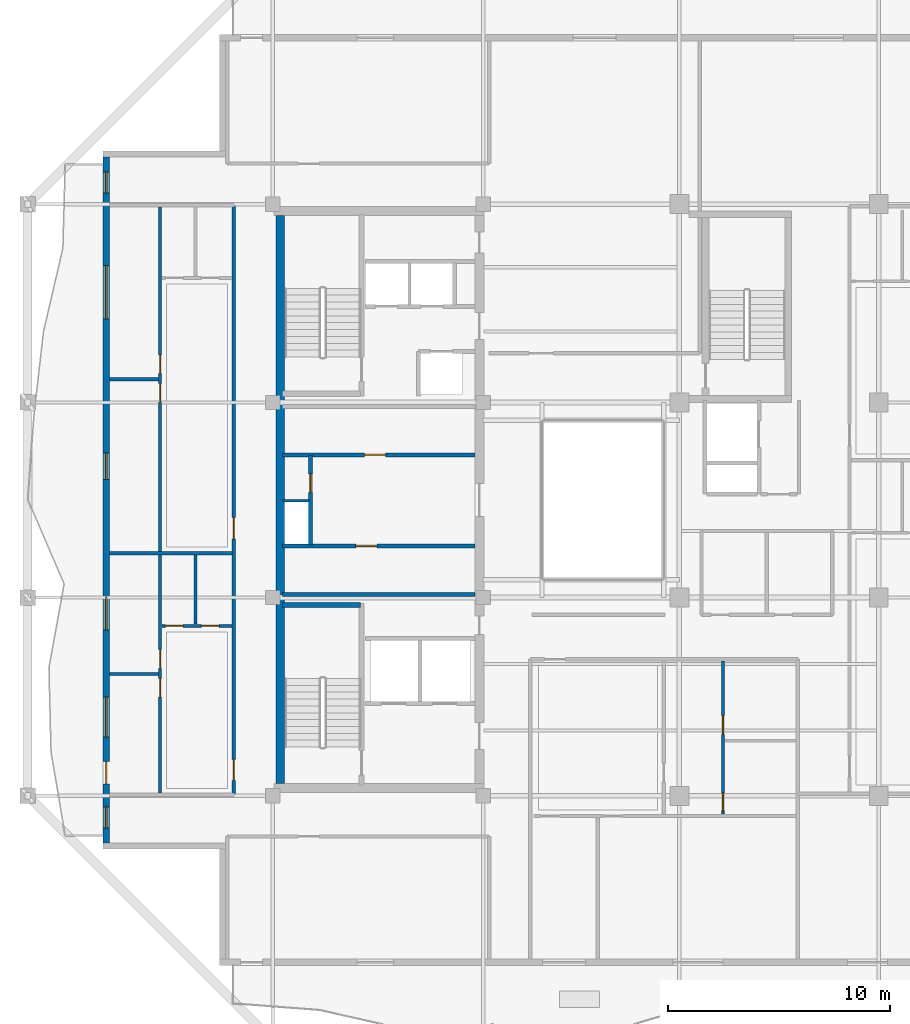
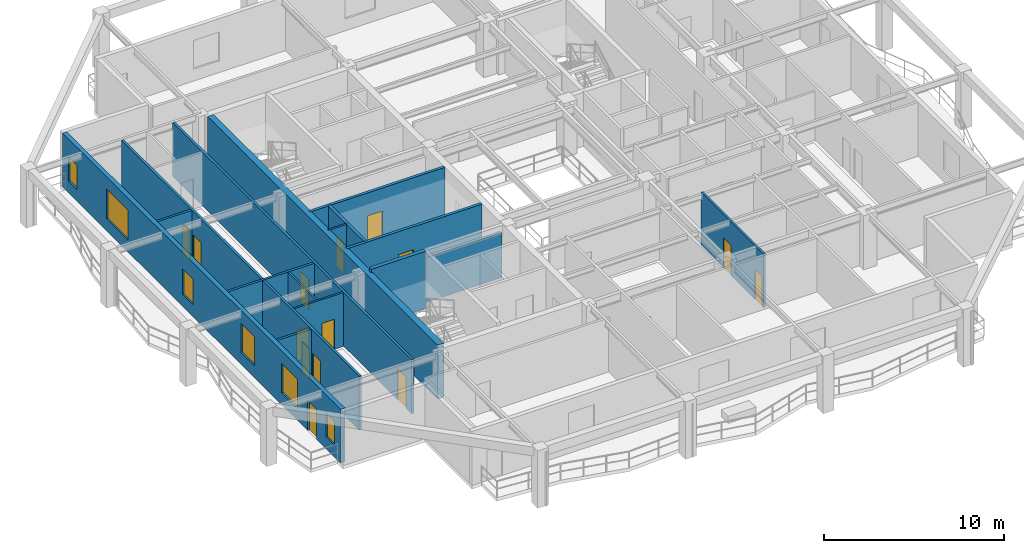
# One storey, part 3 of 12: 17 walls, 14 doors, 6 windows, 20 openings.
"""IFC4 building model written with IfcOpenShell, lengths in metres."""

import ifcopenshell
import ifcopenshell.guid

model = None  # the IFC model being written
_history = None  # IfcOwnerHistory: only IFC2X3 demands one
_inside = {}  # id of a spatial element -> (the spatial element, [elements in it])
_under = {}  # id of a project, library or spatial element -> (it, [spatial elements below it])
_declared = {}  # id of a project -> (the project, [libraries it declares])
_typed = {}  # id of a type object -> (the type object, [elements of that type])
_made_of = {}  # id of a material, layer set ... -> (it, [elements and type objects made of it])


def new_model(schema):
    """Start an empty IFC model of exactly this schema.

    Asked for "IFC4X3", IfcOpenShell would pick the latest addendum, in which some entities
    have other attributes; the version numbers below select the first issue.
    IFC2X3 requires an IfcOwnerHistory on every rooted entity: one is made here for all.
    """
    global model, _history
    if schema == "IFC4X3":
        model = ifcopenshell.file(schema_version=(4, 3, 0, 0))
    else:
        model = ifcopenshell.file(schema=schema)
    _inside.clear()
    _under.clear()
    _declared.clear()
    _typed.clear()
    _made_of.clear()
    _history = None
    if model.schema == "IFC2X3":
        org = make("IfcOrganization", Name="unknown")
        user = make(
            "IfcPersonAndOrganization",
            ThePerson=make("IfcPerson", FamilyName="unknown"),
            TheOrganization=org,
        )
        app = make(
            "IfcApplication",
            ApplicationDeveloper=org,
            Version="unknown",
            ApplicationFullName="unknown",
            ApplicationIdentifier="unknown",
        )
        _history = make(
            "IfcOwnerHistory",
            OwningUser=user,
            OwningApplication=app,
            ChangeAction="ADDED",
            CreationDate=0,
        )
    return model


def make(cls, **values):
    """One entity of the class cls with the attributes given. An attribute that is None is left unset."""
    return model.create_entity(
        cls, **{name: value for name, value in values.items() if value is not None}
    )


def rooted(cls, **values):
    """An entity with a GlobalId (a new one), such as an element, a storey or a relation."""
    return make(cls, GlobalId=ifcopenshell.guid.new(), OwnerHistory=_history, **values)


def si_unit(unit_type, name, prefix=None):
    """IfcSIUnit, for example si_unit("LENGTHUNIT", "METRE", prefix="MILLI")."""
    return make("IfcSIUnit", UnitType=unit_type, Prefix=prefix, Name=name)


def assignment(units):
    """IfcUnitAssignment: the units of a project."""
    return None if units is None else make("IfcUnitAssignment", Units=units)


def point(xyz):
    """IfcCartesianPoint."""
    return None if xyz is None else make("IfcCartesianPoint", Coordinates=xyz)


def direction(xyz):
    """IfcDirection."""
    return None if xyz is None else make("IfcDirection", DirectionRatios=xyz)


def frame(location, z_axis=None, x_axis=None):
    """IfcAxis2Placement3D, a coordinate frame: its origin and axes. An axis left out is left unset."""
    return make(
        "IfcAxis2Placement3D",
        Location=point(location),
        Axis=direction(z_axis),
        RefDirection=direction(x_axis),
    )


def frame_2d(location, x_axis=None):
    """IfcAxis2Placement2D, a coordinate frame in the plane: its origin and x axis."""
    return make(
        "IfcAxis2Placement2D", Location=point(location), RefDirection=direction(x_axis)
    )


def origin():
    """The frame at (0, 0, 0) with its axes left unset."""
    return frame((0.0, 0.0, 0.0))


def place(relative_to, where):
    """IfcLocalPlacement: puts the frame where relative to a parent placement (None: the world)."""
    return make(
        "IfcLocalPlacement", PlacementRelTo=relative_to, RelativePlacement=where
    )


def context(
    kind, dimensions, precision=None, world=None, true_north=None, identifier=None
):
    """IfcGeometricRepresentationContext, for example the 3D "Model" context."""
    return make(
        "IfcGeometricRepresentationContext",
        ContextIdentifier=identifier,
        ContextType=kind,
        CoordinateSpaceDimension=dimensions,
        Precision=precision,
        WorldCoordinateSystem=world,
        TrueNorth=true_north,
    )


def subcontext(parent, identifier, kind, view, scale=None):
    """IfcGeometricRepresentationSubContext, for example "Body" below "Model"."""
    return make(
        "IfcGeometricRepresentationSubContext",
        ContextIdentifier=identifier,
        ContextType=kind,
        ParentContext=parent,
        TargetScale=scale,
        TargetView=view,
    )


def project(units=None, contexts=None):
    """IfcProject with its units and contexts."""
    return rooted(
        "IfcProject",
        Name="project",
        RepresentationContexts=contexts,
        UnitsInContext=assignment(units),
    )


def spatial(cls, under=None, at=None, **own):
    """A site, building, storey or space (cls), placed at a placement, below another one or the project."""
    s = rooted(cls, ObjectPlacement=at, **own)
    if under is not None:
        _under.setdefault(under.id(), (under, []))[1].append(s)
    return s


def profile(cls, at=None, kind="AREA", **sizes):
    """A parametric profile (cls). Its sizes go by their IFC names, for example OverallWidth=200.0."""
    return make(cls, ProfileType=kind, Position=at, **sizes)


def rectangle(**sizes):
    """IfcRectangleProfileDef."""
    return profile("IfcRectangleProfileDef", **sizes)


def extrude(swept, where, along, depth):
    """IfcExtrudedAreaSolid: the profile swept, set in the frame where, extruded along a direction by depth."""
    return make(
        "IfcExtrudedAreaSolid",
        SweptArea=swept,
        Position=where,
        ExtrudedDirection=direction(along),
        Depth=depth,
    )


def shape(context_of_items, identifier, shape_type, items):
    """IfcShapeRepresentation: the items that make up one representation, for example the "Body"."""
    return make(
        "IfcShapeRepresentation",
        ContextOfItems=context_of_items,
        RepresentationIdentifier=identifier,
        RepresentationType=shape_type,
        Items=items,
    )


def material(Name=None, Category=None):
    """IfcMaterial."""
    return make("IfcMaterial", Name=Name, Category=Category)


def layer(
    of_material, thickness, ventilated=None, Name=None, Category=None, Priority=None
):
    """IfcMaterialLayer: one layer of a wall or slab, of a material (None: an air gap)."""
    return make(
        "IfcMaterialLayer",
        Material=of_material,
        LayerThickness=thickness,
        IsVentilated=ventilated,
        Name=Name,
        Category=Category,
        Priority=Priority,
    )


def layer_set(layers, Name=None):
    """IfcMaterialLayerSet."""
    return make("IfcMaterialLayerSet", MaterialLayers=layers, LayerSetName=Name)


def made_of(thing, what):
    """Note that an element or type object is made of a material, layer set ...; save() writes the relation."""
    if what is not None:
        _made_of.setdefault(what.id(), (what, []))[1].append(thing)
    return thing


def type_object(cls, material=None, **own):
    """A type object (cls), such as IfcWallType, which elements share."""
    return made_of(rooted(cls, **own), material)


def element(
    cls,
    number,
    at=None,
    inside=None,
    cuts=None,
    type_object=None,
    material=None,
    context=None,
    identifier="Body",
    shape_type=None,
    held_by="IfcProductDefinitionShape",
    body=None,
    shapes=None,
    **own,
):
    """One element of the class cls, such as IfcWall. Its Tag is "e" and its number.

    at: its placement. inside: the storey or other place that contains it. cuts: it is an
    opening in that element (IfcRelVoidsElement). A single representation is given by context,
    identifier, shape_type and body (its items); several are given by shapes. held_by: the class
    of the entity that holds the representations. save() writes the other relations.
    """
    e = rooted(cls, Tag="e%d" % number, ObjectPlacement=at, **own)
    if body is not None:
        shapes = [shape(context, identifier, shape_type, body)]
    if shapes is not None:
        e.Representation = make(held_by, Representations=shapes)
    if inside is not None:
        _inside.setdefault(inside.id(), (inside, []))[1].append(e)
    if cuts is not None:
        rooted(
            "IfcRelVoidsElement", RelatingBuildingElement=cuts, RelatedOpeningElement=e
        )
    if type_object is not None:
        _typed.setdefault(type_object.id(), (type_object, []))[1].append(e)
    return made_of(e, material)


def fill(opening, filler):
    """IfcRelFillsElement: the door or window that sits in an opening."""
    return rooted(
        "IfcRelFillsElement",
        RelatingOpeningElement=opening,
        RelatedBuildingElement=filler,
    )


def aggregate(whole, parts):
    """IfcRelAggregates: a whole, such as a stair, and the parts it consists of."""
    return rooted("IfcRelAggregates", RelatingObject=whole, RelatedObjects=parts)


def save(model, path):
    """Write the relations noted so far, then the file.

    IfcRelAggregates (storeys below a building ...), IfcRelContainedInSpatialStructure (elements
    in a storey), IfcRelDefinesByType, IfcRelAssociatesMaterial and IfcRelDeclares: one each for
    every whole, place, type object, material and project.
    """
    for whole, parts in _under.values():
        aggregate(whole, parts)
    for where, things in _inside.values():
        rooted(
            "IfcRelContainedInSpatialStructure",
            RelatedElements=things,
            RelatingStructure=where,
        )
    for kind, things in _typed.values():
        rooted("IfcRelDefinesByType", RelatedObjects=things, RelatingType=kind)
    for what, things in _made_of.values():
        rooted("IfcRelAssociatesMaterial", RelatedObjects=things, RelatingMaterial=what)
    for by, libraries in _declared.values():
        rooted("IfcRelDeclares", RelatingContext=by, RelatedDefinitions=libraries)
    model.write(path)


model = new_model("IFC4")

# Units and contexts
model_context = context("Model", 3, precision=1e-05, world=origin(), true_north=direction((0.0, 1.0)))
body_context = subcontext(model_context, "Body", "Model", "MODEL_VIEW")
ifc_project = project(units=[si_unit("LENGTHUNIT", "METRE"), si_unit("AREAUNIT", "SQUARE_METRE"), si_unit("VOLUMEUNIT", "CUBIC_METRE"), si_unit("PLANEANGLEUNIT", "RADIAN"), si_unit("MASSUNIT", "GRAM", prefix="KILO")], contexts=[model_context])

# Site, building, storey
site_placement = place(None, origin())
site = spatial("IfcSite", under=ifc_project, at=site_placement, CompositionType="ELEMENT")
building_placement = place(site_placement, origin())
building = spatial("IfcBuilding", under=site, at=building_placement, Name="Kundavana Baori Tower", CompositionType="ELEMENT")
storey_placement = place(building_placement, frame((0.0, 0.0, 245.300048828125)))
storey = spatial("IfcBuildingStorey", under=building, at=storey_placement, Name="L60", CompositionType="ELEMENT", Elevation=245.300048828125)

# Walls
ifc_material_1 = material(Name="Concrete C50/60", Category="concrete")
ifc_layer_1 = layer(ifc_material_1, 0.39990234375, Name="WL-CORE-400")
ifc_layer_set_1 = layer_set([ifc_layer_1], Name="Concrete C50/60")
wall_type_1 = type_object("IfcWallType", Name="WL-CORE-400", PredefinedType="SHEAR", material=ifc_layer_set_1)
wall_1_placement = place(storey_placement, frame((15.7900390625, 15.81005859375, 0.0), z_axis=(0.0, 0.0, 1.0), x_axis=(0.0, 1.0, 0.0)))
element("IfcWall", 1, at=wall_1_placement, inside=storey, type_object=wall_type_1, Name="L60 Offset Core West Shear Wall", PredefinedType="SHEAR", context=body_context, shape_type="SweptSolid", body=[
    extrude(rectangle(XDim=25.6298828125, YDim=0.39990234375, at=frame_2d((12.81494140625, 0.0))), origin(), (0.0, 0.0, 1.0), 3.659912109375),
])
wall_2_placement = place(storey_placement, frame((15.89990234375, 23.860107421875, 0.0), z_axis=(0.0, 0.0, 1.0), x_axis=(1.0, 0.0, 0.0)))
element("IfcWall", 2, at=wall_2_placement, inside=storey, type_object=wall_type_1, Name="WL-L60-ST1-N", PredefinedType="SHEAR", context=body_context, shape_type="SweptSolid", body=[
    extrude(rectangle(XDim=3.52001953125, YDim=0.239990234375, at=frame_2d((1.760009765625, 0.0))), origin(), (0.0, 0.0, 1.0), 3.89990234375),
])

# Wall, openings, door, windows
ifc_material_2 = material(Name="Red-Buff Dholpur Sandstone Cladding on Concrete C40/50", Category="masonry")
ifc_layer_2 = layer(ifc_material_2, 0.280029296875, Name="WL-EXT-SAND-280")
ifc_layer_set_2 = layer_set([ifc_layer_2], Name="Red-Buff Dholpur Sandstone Cladding on Concrete C40/50")
wall_type_2 = type_object("IfcWallType", Name="WL-EXT-SAND-280", PredefinedType="STANDARD", material=ifc_layer_set_2)
wall_3_placement = place(storey_placement, frame((7.93994140625, 44.070068359375, 0.0), z_axis=(0.0, 0.0, 1.0), x_axis=(0.0, -1.0, 0.0)))
wall_3 = element("IfcWall", 3, at=wall_3_placement, inside=storey, type_object=wall_type_2, Name="L60 Exterior Insulated Facade Wall 10", PredefinedType="STANDARD", context=body_context, shape_type="SweptSolid", body=[
    extrude(rectangle(XDim=30.940185546875, YDim=0.280029296875, at=frame_2d((15.47021484375, 0.0))), origin(), (0.0, 0.0, 1.0), 3.659912109375),
])
opening_1_placement = place(wall_3_placement, frame((29.324951171875, 0.0, 0.800048828125)))
opening_1 = element("IfcOpeningElement", 4, at=opening_1_placement, cuts=wall_3, Name="Opening W-13", PredefinedType="OPENING", context=body_context, shape_type="SweptSolid", body=[
    extrude(rectangle(XDim=0.949951171875, YDim=1.64990234375, at=frame_2d((0.47509765625, 0.824951171875))), frame((0.0, 0.14990234375, 0.0), z_axis=(0.0, -1.0, 0.0), x_axis=(1.0, 0.0, 0.0)), (0.0, 0.0, 1.0), 0.300048828125),
])
opening_2_placement = place(wall_3_placement, frame((27.280029296875, 0.0, 0.0)))
opening_2 = element("IfcOpeningElement", 5, at=opening_2_placement, cuts=wall_3, Name="Opening BD-1", PredefinedType="OPENING", context=body_context, shape_type="SweptSolid", body=[
    extrude(rectangle(XDim=1.0, YDim=2.050048828125, at=frame_2d((0.5, 1.02490234375))), frame((0.0, 0.14990234375, 0.0), z_axis=(0.0, -1.0, 0.0), x_axis=(1.0, 0.0, 0.0)), (0.0, 0.0, 1.0), 0.300048828125),
])
opening_3_placement = place(wall_3_placement, frame((24.3701171875, 0.0, 0.800048828125)))
opening_3 = element("IfcOpeningElement", 6, at=opening_3_placement, cuts=wall_3, Name="Opening W-01", PredefinedType="OPENING", context=body_context, shape_type="SweptSolid", body=[
    extrude(rectangle(XDim=1.800048828125, YDim=2.0, at=frame_2d((0.89990234375, 1.0))), frame((0.0, 0.14990234375, 0.0), z_axis=(0.0, -1.0, 0.0), x_axis=(1.0, 0.0, 0.0)), (0.0, 0.0, 1.0), 0.300048828125),
])
opening_4_placement = place(wall_3_placement, frame((19.844970703125, 0.0, 0.800048828125)))
opening_4 = element("IfcOpeningElement", 7, at=opening_4_placement, cuts=wall_3, Name="Opening W-02", PredefinedType="OPENING", context=body_context, shape_type="SweptSolid", body=[
    extrude(rectangle(XDim=1.5, YDim=2.0, at=frame_2d((0.75, 1.0))), frame((0.0, 0.14990234375, 0.0), z_axis=(0.0, -1.0, 0.0), x_axis=(1.0, 0.0, 0.0)), (0.0, 0.0, 1.0), 0.300048828125),
])
opening_5_placement = place(wall_3_placement, frame((13.344970703125, 0.0, 0.800048828125)))
opening_5 = element("IfcOpeningElement", 8, at=opening_5_placement, cuts=wall_3, Name="Opening W-03", PredefinedType="OPENING", context=body_context, shape_type="SweptSolid", body=[
    extrude(rectangle(XDim=1.199951171875, YDim=1.75, at=frame_2d((0.60009765625, 0.875))), frame((0.0, 0.14990234375, 0.0), z_axis=(0.0, -1.0, 0.0), x_axis=(1.0, 0.0, 0.0)), (0.0, 0.0, 1.0), 0.300048828125),
])
opening_6_placement = place(wall_3_placement, frame((4.89501953125, 0.0, 0.800048828125)))
opening_6 = element("IfcOpeningElement", 9, at=opening_6_placement, cuts=wall_3, Name="Opening W-04", PredefinedType="OPENING", context=body_context, shape_type="SweptSolid", body=[
    extrude(rectangle(XDim=2.39990234375, YDim=2.050048828125, at=frame_2d((1.199951171875, 1.02490234375))), frame((0.0, 0.14990234375, 0.0), z_axis=(0.0, -1.0, 0.0), x_axis=(1.0, 0.0, 0.0)), (0.0, 0.0, 1.0), 0.300048828125),
])
opening_7_placement = place(wall_3_placement, frame((0.6650390625, 0.0, 0.800048828125)))
opening_7 = element("IfcOpeningElement", 10, at=opening_7_placement, cuts=wall_3, Name="Opening W-13", PredefinedType="OPENING", context=body_context, shape_type="SweptSolid", body=[
    extrude(rectangle(XDim=0.949951171875, YDim=1.64990234375, at=frame_2d((0.47509765625, 0.824951171875))), frame((0.0, 0.14990234375, 0.0), z_axis=(0.0, -1.0, 0.0), x_axis=(1.0, 0.0, 0.0)), (0.0, 0.0, 1.0), 0.300048828125),
])
ifc_material_3 = material(Name="Architectural Patinated Bronze Metalwork")
door_type_1 = type_object("IfcDoorType", Name="DR-EXT-LOG-1000", OperationType="NOTDEFINED", PredefinedType="DOOR", material=ifc_material_3)
door_1_placement = place(opening_2_placement, frame((1.0, 0.0, 0.0), z_axis=(0.0, 0.0, 1.0), x_axis=(-1.0, 0.0, 0.0)))
door_1 = element("IfcDoor", 11, at=door_1_placement, inside=storey, type_object=door_type_1, Name="L60 Loggia Balcony Access Door W", OperationType="SINGLE_SWING_LEFT", OverallHeight=2.050048828125, OverallWidth=1.0, PredefinedType="DOOR", context=body_context, shape_type="SweptSolid", body=[
    extrude(rectangle(XDim=1.0, YDim=2.050048828125, at=frame_2d((0.5, 1.02490234375))), frame((0.0, 0.02490234375, 0.0), z_axis=(0.0, -1.0, 0.0), x_axis=(1.0, 0.0, 0.0)), (0.0, 0.0, 1.0), 0.050048828125),
])
fill(opening_2, door_1)
ifc_material_4 = material(Name="Double-Glazed Solar-Control Low-E Insulated Glass", Category="glass")
window_type_1 = type_object("IfcWindowType", Name="WIN-LOG-1200x1750", PartitioningType="SINGLE_PANEL", PredefinedType="WINDOW", material=ifc_material_4)
window_1_placement = place(opening_5_placement, origin())
window_1 = element("IfcWindow", 12, at=window_1_placement, inside=storey, type_object=window_type_1, Name="L60 Recessed Loggia Window W-4", OverallHeight=1.75, OverallWidth=1.199951171875, PartitioningType="SINGLE_PANEL", PredefinedType="WINDOW", context=body_context, shape_type="SweptSolid", body=[
    extrude(rectangle(XDim=1.199951171875, YDim=1.75, at=frame_2d((0.60009765625, 0.875))), frame((0.0, 0.030029296875, 0.0), z_axis=(0.0, -1.0, 0.0), x_axis=(1.0, 0.0, 0.0)), (0.0, 0.0, 1.0), 0.06005859375),
])
fill(opening_5, window_1)
ifc_material_5 = material(Name="Double-Glazed Solar-Control Low-E Insulated Glass", Category="glass")
window_type_2 = type_object("IfcWindowType", Name="WIN-LOG-1500x2000", PartitioningType="SINGLE_PANEL", PredefinedType="WINDOW", material=ifc_material_5)
window_2_placement = place(opening_4_placement, origin())
window_2 = element("IfcWindow", 13, at=window_2_placement, inside=storey, type_object=window_type_2, Name="L60 Recessed Loggia Window W-3", OverallHeight=2.0, OverallWidth=1.5, PartitioningType="SINGLE_PANEL", PredefinedType="WINDOW", context=body_context, shape_type="SweptSolid", body=[
    extrude(rectangle(XDim=1.5, YDim=2.0, at=frame_2d((0.75, 1.0))), frame((0.0, 0.030029296875, 0.0), z_axis=(0.0, -1.0, 0.0), x_axis=(1.0, 0.0, 0.0)), (0.0, 0.0, 1.0), 0.06005859375),
])
fill(opening_4, window_2)
ifc_material_6 = material(Name="Double-Glazed Solar-Control Low-E Insulated Glass", Category="glass")
window_type_3 = type_object("IfcWindowType", Name="WIN-LOG-1800x2000", PartitioningType="SINGLE_PANEL", PredefinedType="WINDOW", material=ifc_material_6)
window_3_placement = place(opening_3_placement, origin())
window_3 = element("IfcWindow", 14, at=window_3_placement, inside=storey, type_object=window_type_3, Name="L60 Recessed Loggia Window W-2", OverallHeight=2.0, OverallWidth=1.800048828125, PartitioningType="SINGLE_PANEL", PredefinedType="WINDOW", context=body_context, shape_type="SweptSolid", body=[
    extrude(rectangle(XDim=1.800048828125, YDim=2.0, at=frame_2d((0.89990234375, 1.0))), frame((0.0, 0.030029296875, 0.0), z_axis=(0.0, -1.0, 0.0), x_axis=(1.0, 0.0, 0.0)), (0.0, 0.0, 1.0), 0.06005859375),
])
fill(opening_3, window_3)
ifc_material_7 = material(Name="Double-Glazed Solar-Control Low-E Insulated Glass", Category="glass")
window_type_4 = type_object("IfcWindowType", Name="WIN-LOG-2400x2050", PartitioningType="SINGLE_PANEL", PredefinedType="WINDOW", material=ifc_material_7)
window_4_placement = place(opening_6_placement, origin())
window_4 = element("IfcWindow", 15, at=window_4_placement, inside=storey, type_object=window_type_4, Name="L60 Recessed Loggia Window W-5", OverallHeight=2.050048828125, OverallWidth=2.39990234375, PartitioningType="SINGLE_PANEL", PredefinedType="WINDOW", context=body_context, shape_type="SweptSolid", body=[
    extrude(rectangle(XDim=2.39990234375, YDim=2.050048828125, at=frame_2d((1.199951171875, 1.02490234375))), frame((0.0, 0.030029296875, 0.0), z_axis=(0.0, -1.0, 0.0), x_axis=(1.0, 0.0, 0.0)), (0.0, 0.0, 1.0), 0.06005859375),
])
fill(opening_6, window_4)
ifc_material_8 = material(Name="Double-Glazed Solar-Control Low-E Insulated Glass", Category="glass")
window_type_5 = type_object("IfcWindowType", Name="WIN-LOG-950x1650", PartitioningType="SINGLE_PANEL", PredefinedType="WINDOW", material=ifc_material_8)
window_5_placement = place(opening_1_placement, origin())
window_5 = element("IfcWindow", 16, at=window_5_placement, inside=storey, type_object=window_type_5, Name="L60 Recessed Loggia Window W-1", OverallHeight=1.64990234375, OverallWidth=0.949951171875, PartitioningType="SINGLE_PANEL", PredefinedType="WINDOW", context=body_context, shape_type="SweptSolid", body=[
    extrude(rectangle(XDim=0.949951171875, YDim=1.64990234375, at=frame_2d((0.47509765625, 0.824951171875))), frame((0.0, 0.030029296875, 0.0), z_axis=(0.0, -1.0, 0.0), x_axis=(1.0, 0.0, 0.0)), (0.0, 0.0, 1.0), 0.06005859375),
])
fill(opening_1, window_5)
window_6_placement = place(opening_7_placement, origin())
window_6 = element("IfcWindow", 17, at=window_6_placement, inside=storey, type_object=window_type_5, Name="L60 Recessed Loggia Window W-6", OverallHeight=1.64990234375, OverallWidth=0.949951171875, PartitioningType="SINGLE_PANEL", PredefinedType="WINDOW", context=body_context, shape_type="SweptSolid", body=[
    extrude(rectangle(XDim=0.949951171875, YDim=1.64990234375, at=frame_2d((0.47509765625, 0.824951171875))), frame((0.0, 0.030029296875, 0.0), z_axis=(0.0, -1.0, 0.0), x_axis=(1.0, 0.0, 0.0)), (0.0, 0.0, 1.0), 0.06005859375),
])
fill(opening_7, window_6)

# Wall
ifc_material_9 = material(Name="Acoustic Gypsum Plasterboard on Galvanised Steel Studs", Category="steel")
ifc_layer_3 = layer(ifc_material_9, 0.1201171875, Name="WL-PART-120")
ifc_layer_set_3 = layer_set([ifc_layer_3], Name="Acoustic Gypsum Plasterboard on Galvanised Steel Studs")
wall_type_3 = type_object("IfcWallType", Name="WL-PART-120", PredefinedType="PARTITIONING", material=ifc_layer_set_3)
wall_4_placement = place(storey_placement, frame((15.89990234375, 28.56005859375, 0.0), z_axis=(0.0, 0.0, 1.0), x_axis=(1.0, 0.0, 0.0)))
element("IfcWall", 18, at=wall_4_placement, inside=storey, type_object=wall_type_3, Name="WL-L60-RSRW-N", PredefinedType="PARTITIONING", context=body_context, shape_type="SweptSolid", body=[
    extrude(rectangle(XDim=1.2001953125, YDim=0.1201171875, at=frame_2d((0.60009765625, 0.0))), origin(), (0.0, 0.0, 1.0), 3.659912109375),
])

# Wall, openings, doors
ifc_material_10 = material(Name="Fire-Rated Gypsum Drywall on Galvanised Steel Studs", Category="steel")
ifc_layer_4 = layer(ifc_material_10, 0.14990234375, Name="WL-PART-150")
ifc_layer_set_4 = layer_set([ifc_layer_4], Name="Fire-Rated Gypsum Drywall on Galvanised Steel Studs")
wall_type_4 = type_object("IfcWallType", Name="WL-PART-150", PredefinedType="PARTITIONING", material=ifc_layer_set_4)
wall_5_placement = place(storey_placement, frame((13.699951171875, 15.300048828125, 0.0), z_axis=(0.0, 0.0, 1.0), x_axis=(0.0, 1.0, 0.0)))
wall_5 = element("IfcWall", 19, at=wall_5_placement, inside=storey, type_object=wall_type_4, Name="WL-L60-RW", PredefinedType="PARTITIONING", context=body_context, shape_type="SweptSolid", body=[
    extrude(rectangle(XDim=26.599853515625, YDim=0.14990234375, at=frame_2d((13.2998046875, 0.0))), origin(), (0.0, 0.0, 1.0), 3.659912109375),
])
opening_8_placement = place(wall_5_placement, frame((0.64990234375, 0.0, 0.0)))
opening_8 = element("IfcOpeningElement", 20, at=opening_8_placement, cuts=wall_5, Name="Opening FD-095", PredefinedType="OPENING", context=body_context, shape_type="SweptSolid", body=[
    extrude(rectangle(XDim=0.949951171875, YDim=2.10009765625, at=frame_2d((0.47509765625, 1.050048828125))), frame((0.0, 0.0849609375, 0.0), z_axis=(0.0, -1.0, 0.0), x_axis=(1.0, 0.0, 0.0)), (0.0, 0.0, 1.0), 0.169921875),
])
opening_9_placement = place(wall_5_placement, frame((11.550048828125, 0.0, 0.0)))
opening_9 = element("IfcOpeningElement", 21, at=opening_9_placement, cuts=wall_5, Name="Opening FD-095", PredefinedType="OPENING", context=body_context, shape_type="SweptSolid", body=[
    extrude(rectangle(XDim=0.949951171875, YDim=2.10009765625, at=frame_2d((0.47509765625, 1.050048828125))), frame((0.0, 0.0849609375, 0.0), z_axis=(0.0, -1.0, 0.0), x_axis=(1.0, 0.0, 0.0)), (0.0, 0.0, 1.0), 0.169921875),
])
ifc_material_11 = material(Name="Engineered Teak Fire-Rated Timber Door Leaf", Category="wood")
door_type_2 = type_object("IfcDoorType", Name="DR-FD60-950", OperationType="NOTDEFINED", PredefinedType="DOOR", material=ifc_material_11)
door_2_placement = place(opening_8_placement, frame((0.949951171875, 0.0, 0.0), z_axis=(0.0, 0.0, 1.0), x_axis=(-1.0, 0.0, 0.0)))
door_2 = element("IfcDoor", 22, at=door_2_placement, inside=storey, type_object=door_type_2, Name="DR-L60-W1-ENT", OperationType="SINGLE_SWING_LEFT", OverallHeight=2.10009765625, OverallWidth=0.949951171875, PredefinedType="DOOR", context=body_context, shape_type="SweptSolid", body=[
    extrude(rectangle(XDim=0.949951171875, YDim=2.10009765625, at=frame_2d((0.47509765625, 1.050048828125))), frame((0.0, 0.02490234375, 0.0), z_axis=(0.0, -1.0, 0.0), x_axis=(1.0, 0.0, 0.0)), (0.0, 0.0, 1.0), 0.050048828125),
])
fill(opening_8, door_2)
door_3_placement = place(opening_9_placement, frame((0.949951171875, 0.0, 0.0), z_axis=(0.0, 0.0, 1.0), x_axis=(-1.0, 0.0, 0.0)))
door_3 = element("IfcDoor", 23, at=door_3_placement, inside=storey, type_object=door_type_2, Name="DR-L60-W2-ENT", OperationType="SINGLE_SWING_LEFT", OverallHeight=2.10009765625, OverallWidth=0.949951171875, PredefinedType="DOOR", context=body_context, shape_type="SweptSolid", body=[
    extrude(rectangle(XDim=0.949951171875, YDim=2.10009765625, at=frame_2d((0.47509765625, 1.050048828125))), frame((0.0, 0.02490234375, 0.0), z_axis=(0.0, -1.0, 0.0), x_axis=(1.0, 0.0, 0.0)), (0.0, 0.0, 1.0), 0.050048828125),
])
fill(opening_9, door_3)

wall_6_placement = place(storey_placement, frame((10.3701171875, 15.3798828125, 0.0), z_axis=(0.0, 0.0, 1.0), x_axis=(0.0, 1.0, 0.0)))
wall_6 = element("IfcWall", 24, at=wall_6_placement, inside=storey, type_object=wall_type_4, Name="WL-L60-W1-VT", PredefinedType="PARTITIONING", context=body_context, shape_type="SweptSolid", body=[
    extrude(rectangle(XDim=10.740234375, YDim=0.14990234375, at=frame_2d((5.3701171875, 0.0))), origin(), (0.0, 0.0, 1.0), 3.659912109375),
])
opening_10_placement = place(wall_6_placement, frame((4.320068359375, 0.0, 0.0)))
opening_10 = element("IfcOpeningElement", 25, at=opening_10_placement, cuts=wall_6, Name="Opening ID-085", PredefinedType="OPENING", context=body_context, shape_type="SweptSolid", body=[
    extrude(rectangle(XDim=0.85009765625, YDim=2.080078125, at=frame_2d((0.425048828125, 1.0400390625))), frame((0.0, 0.0849609375, 0.0), z_axis=(0.0, -1.0, 0.0), x_axis=(1.0, 0.0, 0.0)), (0.0, 0.0, 1.0), 0.169921875),
])
opening_11_placement = place(wall_6_placement, frame((5.6201171875, 0.0, 0.0)))
opening_11 = element("IfcOpeningElement", 26, at=opening_11_placement, cuts=wall_6, Name="Opening ID-085", PredefinedType="OPENING", context=body_context, shape_type="SweptSolid", body=[
    extrude(rectangle(XDim=0.85009765625, YDim=2.080078125, at=frame_2d((0.425048828125, 1.0400390625))), frame((0.0, 0.0849609375, 0.0), z_axis=(0.0, -1.0, 0.0), x_axis=(1.0, 0.0, 0.0)), (0.0, 0.0, 1.0), 0.169921875),
])
ifc_material_12 = material(Name="Engineered Teak Solid-Core Timber Veneer", Category="wood")
door_type_3 = type_object("IfcDoorType", Name="DR-INT-850", OperationType="NOTDEFINED", PredefinedType="DOOR", material=ifc_material_12)
door_4_placement = place(opening_10_placement, frame((0.85009765625, 0.0, 0.0), z_axis=(0.0, 0.0, 1.0), x_axis=(-1.0, 0.0, 0.0)))
door_4 = element("IfcDoor", 27, at=door_4_placement, inside=storey, type_object=door_type_3, Name="DR-L60-W1-B1", OperationType="SINGLE_SWING_LEFT", OverallHeight=2.080078125, OverallWidth=0.85009765625, PredefinedType="DOOR", context=body_context, shape_type="SweptSolid", body=[
    extrude(rectangle(XDim=0.85009765625, YDim=2.080078125, at=frame_2d((0.425048828125, 1.0400390625))), frame((0.0, 0.02490234375, 0.0), z_axis=(0.0, -1.0, 0.0), x_axis=(1.0, 0.0, 0.0)), (0.0, 0.0, 1.0), 0.050048828125),
])
fill(opening_10, door_4)
door_5_placement = place(opening_11_placement, frame((0.85009765625, 0.0, 0.0), z_axis=(0.0, 0.0, 1.0), x_axis=(-1.0, 0.0, 0.0)))
door_5 = element("IfcDoor", 28, at=door_5_placement, inside=storey, type_object=door_type_3, Name="DR-L60-W1-B2", OperationType="SINGLE_SWING_RIGHT", OverallHeight=2.080078125, OverallWidth=0.85009765625, PredefinedType="DOOR", context=body_context, shape_type="SweptSolid", body=[
    extrude(rectangle(XDim=0.85009765625, YDim=2.080078125, at=frame_2d((0.425048828125, 1.0400390625))), frame((0.0, 0.02490234375, 0.0), z_axis=(0.0, -1.0, 0.0), x_axis=(1.0, 0.0, 0.0)), (0.0, 0.0, 1.0), 0.050048828125),
])
fill(opening_11, door_5)

# Walls
wall_7_placement = place(storey_placement, frame((8.080078125, 20.75, 0.0), z_axis=(0.0, 0.0, 1.0), x_axis=(1.0, 0.0, 0.0)))
element("IfcWall", 29, at=wall_7_placement, inside=storey, type_object=wall_type_4, Name="WL-L60-W1-BDH", PredefinedType="PARTITIONING", context=body_context, shape_type="SweptSolid", body=[
    extrude(rectangle(XDim=2.2099609375, YDim=0.14990234375, at=frame_2d((1.10498046875, 0.0))), origin(), (0.0, 0.0, 1.0), 3.659912109375),
])
wall_8_placement = place(storey_placement, frame((8.080078125, 26.199951171875, 0.0), z_axis=(0.0, 0.0, 1.0), x_axis=(1.0, 0.0, 0.0)))
element("IfcWall", 30, at=wall_8_placement, inside=storey, type_object=wall_type_4, Name="WL-L60-RWD1", PredefinedType="PARTITIONING", context=body_context, shape_type="SweptSolid", body=[
    extrude(rectangle(XDim=5.559814453125, YDim=0.14990234375, at=frame_2d((2.77978515625, 0.0))), origin(), (0.0, 0.0, 1.0), 3.659912109375),
])

# Wall, openings, doors
wall_9_placement = place(storey_placement, frame((10.3701171875, 26.280029296875, 0.0), z_axis=(0.0, 0.0, 1.0), x_axis=(0.0, 1.0, 0.0)))
wall_9 = element("IfcWall", 31, at=wall_9_placement, inside=storey, type_object=wall_type_4, Name="WL-L60-W2-VT", PredefinedType="PARTITIONING", context=body_context, shape_type="SweptSolid", body=[
    extrude(rectangle(XDim=15.5400390625, YDim=0.14990234375, at=frame_2d((7.77001953125, 0.0))), origin(), (0.0, 0.0, 1.0), 3.659912109375),
])
opening_12_placement = place(wall_9_placement, frame((6.719970703125, 0.0, 0.0)))
opening_12 = element("IfcOpeningElement", 32, at=opening_12_placement, cuts=wall_9, Name="Opening ID-085", PredefinedType="OPENING", context=body_context, shape_type="SweptSolid", body=[
    extrude(rectangle(XDim=0.85009765625, YDim=2.080078125, at=frame_2d((0.425048828125, 1.0400390625))), frame((0.0, 0.0849609375, 0.0), z_axis=(0.0, -1.0, 0.0), x_axis=(1.0, 0.0, 0.0)), (0.0, 0.0, 1.0), 0.169921875),
])
opening_13_placement = place(wall_9_placement, frame((8.02001953125, 0.0, 0.0)))
opening_13 = element("IfcOpeningElement", 33, at=opening_13_placement, cuts=wall_9, Name="Opening ID-085", PredefinedType="OPENING", context=body_context, shape_type="SweptSolid", body=[
    extrude(rectangle(XDim=0.85009765625, YDim=2.080078125, at=frame_2d((0.425048828125, 1.0400390625))), frame((0.0, 0.0849609375, 0.0), z_axis=(0.0, -1.0, 0.0), x_axis=(1.0, 0.0, 0.0)), (0.0, 0.0, 1.0), 0.169921875),
])
door_6_placement = place(opening_12_placement, frame((0.85009765625, 0.0, 0.0), z_axis=(0.0, 0.0, 1.0), x_axis=(-1.0, 0.0, 0.0)))
door_6 = element("IfcDoor", 34, at=door_6_placement, inside=storey, type_object=door_type_3, Name="DR-L60-W2-B1", OperationType="SINGLE_SWING_LEFT", OverallHeight=2.080078125, OverallWidth=0.85009765625, PredefinedType="DOOR", context=body_context, shape_type="SweptSolid", body=[
    extrude(rectangle(XDim=0.85009765625, YDim=2.080078125, at=frame_2d((0.425048828125, 1.0400390625))), frame((0.0, 0.02490234375, 0.0), z_axis=(0.0, -1.0, 0.0), x_axis=(1.0, 0.0, 0.0)), (0.0, 0.0, 1.0), 0.050048828125),
])
fill(opening_12, door_6)
door_7_placement = place(opening_13_placement, frame((0.85009765625, 0.0, 0.0), z_axis=(0.0, 0.0, 1.0), x_axis=(-1.0, 0.0, 0.0)))
door_7 = element("IfcDoor", 35, at=door_7_placement, inside=storey, type_object=door_type_3, Name="DR-L60-W2-B2", OperationType="SINGLE_SWING_RIGHT", OverallHeight=2.080078125, OverallWidth=0.85009765625, PredefinedType="DOOR", context=body_context, shape_type="SweptSolid", body=[
    extrude(rectangle(XDim=0.85009765625, YDim=2.080078125, at=frame_2d((0.425048828125, 1.0400390625))), frame((0.0, 0.02490234375, 0.0), z_axis=(0.0, -1.0, 0.0), x_axis=(1.0, 0.0, 0.0)), (0.0, 0.0, 1.0), 0.050048828125),
])
fill(opening_13, door_7)

# Wall
wall_10_placement = place(storey_placement, frame((8.080078125, 34.050048828125, 0.0), z_axis=(0.0, 0.0, 1.0), x_axis=(1.0, 0.0, 0.0)))
element("IfcWall", 36, at=wall_10_placement, inside=storey, type_object=wall_type_4, Name="WL-L60-W2-BDH", PredefinedType="PARTITIONING", context=body_context, shape_type="SweptSolid", body=[
    extrude(rectangle(XDim=2.2099609375, YDim=0.14990234375, at=frame_2d((1.10498046875, 0.0))), origin(), (0.0, 0.0, 1.0), 3.659912109375),
])

# Wall, opening, door
ifc_material_13 = material(Name="Autoclaved Aerated Concrete Blockwork Masonry", Category="masonry")
ifc_layer_5 = layer(ifc_material_13, 0.179931640625, Name="WL-SHAFT-180")
ifc_layer_set_5 = layer_set([ifc_layer_5], Name="Autoclaved Aerated Concrete Blockwork Masonry")
wall_type_5 = type_object("IfcWallType", Name="WL-SHAFT-180", PredefinedType="SOLIDWALL", material=ifc_layer_set_5)
wall_11_placement = place(storey_placement, frame((15.89990234375, 26.52001953125, 0.0), z_axis=(0.0, 0.0, 1.0), x_axis=(1.0, 0.0, 0.0)))
wall_11 = element("IfcWall", 37, at=wall_11_placement, inside=storey, type_object=wall_type_5, Name="WL-L60-LPLOW-N", PredefinedType="SOLIDWALL", context=body_context, shape_type="SweptSolid", body=[
    extrude(rectangle(XDim=8.68017578125, YDim=0.179931640625, at=frame_2d((4.340087890625, 0.0))), origin(), (0.0, 0.0, 1.0), 3.659912109375),
])
opening_14_placement = place(wall_11_placement, frame((3.300048828125, 0.0, 0.0)))
opening_14 = element("IfcOpeningElement", 38, at=opening_14_placement, cuts=wall_11, Name="Opening FD-095", PredefinedType="OPENING", context=body_context, shape_type="SweptSolid", body=[
    extrude(rectangle(XDim=0.949951171875, YDim=2.10009765625, at=frame_2d((0.47509765625, 1.050048828125))), frame((0.0, 0.10009765625, 0.0), z_axis=(0.0, -1.0, 0.0), x_axis=(1.0, 0.0, 0.0)), (0.0, 0.0, 1.0), 0.199951171875),
])
door_8_placement = place(opening_14_placement, origin())
door_8 = element("IfcDoor", 39, at=door_8_placement, inside=storey, type_object=door_type_2, Name="DR-L60-FRLOW1", OperationType="SINGLE_SWING_LEFT", OverallHeight=2.10009765625, OverallWidth=0.949951171875, PredefinedType="DOOR", context=body_context, shape_type="SweptSolid", body=[
    extrude(rectangle(XDim=0.949951171875, YDim=2.10009765625, at=frame_2d((0.47509765625, 1.050048828125))), frame((0.0, 0.02490234375, 0.0), z_axis=(0.0, -1.0, 0.0), x_axis=(1.0, 0.0, 0.0)), (0.0, 0.0, 1.0), 0.050048828125),
])
fill(opening_14, door_8)

# Wall
wall_12_placement = place(storey_placement, frame((15.89990234375, 24.330078125, 0.0), z_axis=(0.0, 0.0, 1.0), x_axis=(1.0, 0.0, 0.0)))
element("IfcWall", 40, at=wall_12_placement, inside=storey, type_object=wall_type_5, Name="WL-L60-LPLOW-S", PredefinedType="SOLIDWALL", context=body_context, shape_type="SweptSolid", body=[
    extrude(rectangle(XDim=8.68017578125, YDim=0.179931640625, at=frame_2d((4.340087890625, 0.0))), origin(), (0.0, 0.0, 1.0), 3.06005859375),
])

# Wall, opening, door
wall_13_placement = place(storey_placement, frame((17.159912109375, 26.580078125, 0.0), z_axis=(0.0, 0.0, 1.0), x_axis=(0.0, 1.0, 0.0)))
wall_13 = element("IfcWall", 41, at=wall_13_placement, inside=storey, type_object=wall_type_5, Name="WL-L60-RSRW-E", PredefinedType="SOLIDWALL", context=body_context, shape_type="SweptSolid", body=[
    extrude(rectangle(XDim=4.02001953125, YDim=0.179931640625, at=frame_2d((2.010009765625, 0.0))), origin(), (0.0, 0.0, 1.0), 3.659912109375),
])
opening_15_placement = place(wall_13_placement, frame((2.35009765625, 0.0, 0.0)))
opening_15 = element("IfcOpeningElement", 42, at=opening_15_placement, cuts=wall_13, Name="Opening FD-085", PredefinedType="OPENING", context=body_context, shape_type="SweptSolid", body=[
    extrude(rectangle(XDim=0.85009765625, YDim=2.06005859375, at=frame_2d((0.425048828125, 1.030029296875))), frame((0.0, 0.10009765625, 0.0), z_axis=(0.0, -1.0, 0.0), x_axis=(1.0, 0.0, 0.0)), (0.0, 0.0, 1.0), 0.199951171875),
])
ifc_material_14 = material(Name="Galvanised Steel Fire-Rated Door Leaf", Category="steel")
door_type_4 = type_object("IfcDoorType", Name="DR-FD60-850", OperationType="NOTDEFINED", PredefinedType="DOOR", material=ifc_material_14)
door_9_placement = place(opening_15_placement, origin())
door_9 = element("IfcDoor", 43, at=door_9_placement, inside=storey, type_object=door_type_4, Name="DR-L60-CLN", OperationType="SINGLE_SWING_RIGHT", OverallHeight=2.06005859375, OverallWidth=0.85009765625, PredefinedType="DOOR", context=body_context, shape_type="SweptSolid", body=[
    extrude(rectangle(XDim=0.85009765625, YDim=2.06005859375, at=frame_2d((0.425048828125, 1.030029296875))), frame((0.0, 0.02490234375, 0.0), z_axis=(0.0, -1.0, 0.0), x_axis=(1.0, 0.0, 0.0)), (0.0, 0.0, 1.0), 0.050048828125),
])
fill(opening_15, door_9)

wall_14_placement = place(storey_placement, frame((15.89990234375, 30.639892578125, 0.0), z_axis=(0.0, 0.0, 1.0), x_axis=(1.0, 0.0, 0.0)))
wall_14 = element("IfcWall", 44, at=wall_14_placement, inside=storey, type_object=wall_type_5, Name="WL-L60-LPMID-S", PredefinedType="SOLIDWALL", context=body_context, shape_type="SweptSolid", body=[
    extrude(rectangle(XDim=8.68017578125, YDim=0.179931640625, at=frame_2d((4.340087890625, 0.0))), origin(), (0.0, 0.0, 1.0), 3.659912109375),
])
opening_16_placement = place(wall_14_placement, frame((3.699951171875, 0.0, 0.0)))
opening_16 = element("IfcOpeningElement", 45, at=opening_16_placement, cuts=wall_14, Name="Opening FD-095", PredefinedType="OPENING", context=body_context, shape_type="SweptSolid", body=[
    extrude(rectangle(XDim=0.949951171875, YDim=2.10009765625, at=frame_2d((0.47509765625, 1.050048828125))), frame((0.0, 0.10009765625, 0.0), z_axis=(0.0, -1.0, 0.0), x_axis=(1.0, 0.0, 0.0)), (0.0, 0.0, 1.0), 0.199951171875),
])
door_10_placement = place(opening_16_placement, frame((0.949951171875, 0.0, 0.0), z_axis=(0.0, 0.0, 1.0), x_axis=(-1.0, 0.0, 0.0)))
door_10 = element("IfcDoor", 46, at=door_10_placement, inside=storey, type_object=door_type_2, Name="DR-L60-FRMID1", OperationType="SINGLE_SWING_RIGHT", OverallHeight=2.10009765625, OverallWidth=0.949951171875, PredefinedType="DOOR", context=body_context, shape_type="SweptSolid", body=[
    extrude(rectangle(XDim=0.949951171875, YDim=2.10009765625, at=frame_2d((0.47509765625, 1.050048828125))), frame((0.0, 0.02490234375, 0.0), z_axis=(0.0, -1.0, 0.0), x_axis=(1.0, 0.0, 0.0)), (0.0, 0.0, 1.0), 0.050048828125),
])
fill(opening_16, door_10)

# Wall, openings, doors
ifc_material_15 = material(Name="Autoclaved Aerated Concrete Blockwork Masonry", Category="masonry")
ifc_layer_6 = layer(ifc_material_15, 0.125, Name="WL-WET-120")
ifc_layer_set_6 = layer_set([ifc_layer_6], Name="Autoclaved Aerated Concrete Blockwork Masonry")
wall_type_6 = type_object("IfcWallType", Name="WL-WET-120", PredefinedType="PLUMBINGWALL", material=ifc_layer_set_6)
wall_15_placement = place(storey_placement, frame((10.449951171875, 22.919921875, 0.0), z_axis=(0.0, 0.0, 1.0), x_axis=(1.0, 0.0, 0.0)))
wall_15 = element("IfcWall", 47, at=wall_15_placement, inside=storey, type_object=wall_type_6, Name="WL-L60-W1-KH", PredefinedType="PLUMBINGWALL", context=body_context, shape_type="SweptSolid", body=[
    extrude(rectangle(XDim=3.170166015625, YDim=0.125, at=frame_2d((1.5849609375, 0.0))), origin(), (0.0, 0.0, 1.0), 3.659912109375),
])
opening_17_placement = place(wall_15_placement, frame((0.159912109375, 0.0, 0.0)))
opening_17 = element("IfcOpeningElement", 48, at=opening_17_placement, cuts=wall_15, Name="Opening WD-080", PredefinedType="OPENING", context=body_context, shape_type="SweptSolid", body=[
    extrude(rectangle(XDim=0.800048828125, YDim=2.050048828125, at=frame_2d((0.39990234375, 1.02490234375))), frame((0.0, 0.072509765625, 0.0), z_axis=(0.0, -1.0, 0.0), x_axis=(1.0, 0.0, 0.0)), (0.0, 0.0, 1.0), 0.14501953125),
])
opening_18_placement = place(wall_15_placement, frame((1.781982421875, 0.0, 0.0)))
opening_18 = element("IfcOpeningElement", 49, at=opening_18_placement, cuts=wall_15, Name="Opening WD-080", PredefinedType="OPENING", context=body_context, shape_type="SweptSolid", body=[
    extrude(rectangle(XDim=0.800048828125, YDim=2.050048828125, at=frame_2d((0.39990234375, 1.02490234375))), frame((0.0, 0.072509765625, 0.0), z_axis=(0.0, -1.0, 0.0), x_axis=(1.0, 0.0, 0.0)), (0.0, 0.0, 1.0), 0.14501953125),
])
ifc_material_16 = material(Name="Engineered Teak Solid-Core Timber Veneer", Category="wood")
door_type_5 = type_object("IfcDoorType", Name="DR-WET-800", OperationType="NOTDEFINED", PredefinedType="DOOR", material=ifc_material_16)
door_11_placement = place(opening_17_placement, origin())
door_11 = element("IfcDoor", 50, at=door_11_placement, inside=storey, type_object=door_type_5, Name="DR-L60-W1-BT", OperationType="SINGLE_SWING_LEFT", OverallHeight=2.050048828125, OverallWidth=0.800048828125, PredefinedType="DOOR", context=body_context, shape_type="SweptSolid", body=[
    extrude(rectangle(XDim=0.800048828125, YDim=2.050048828125, at=frame_2d((0.39990234375, 1.02490234375))), frame((0.0, 0.02490234375, 0.0), z_axis=(0.0, -1.0, 0.0), x_axis=(1.0, 0.0, 0.0)), (0.0, 0.0, 1.0), 0.050048828125),
])
fill(opening_17, door_11)
door_12_placement = place(opening_18_placement, origin())
door_12 = element("IfcDoor", 51, at=door_12_placement, inside=storey, type_object=door_type_5, Name="DR-L60-W1-KT", OperationType="SINGLE_SWING_RIGHT", OverallHeight=2.050048828125, OverallWidth=0.800048828125, PredefinedType="DOOR", context=body_context, shape_type="SweptSolid", body=[
    extrude(rectangle(XDim=0.800048828125, YDim=2.050048828125, at=frame_2d((0.39990234375, 1.02490234375))), frame((0.0, 0.02490234375, 0.0), z_axis=(0.0, -1.0, 0.0), x_axis=(1.0, 0.0, 0.0)), (0.0, 0.0, 1.0), 0.050048828125),
])
fill(opening_18, door_12)

# Wall
wall_16_placement = place(storey_placement, frame((11.971923828125, 23.0, 0.0), z_axis=(0.0, 0.0, 1.0), x_axis=(0.0, 1.0, 0.0)))
element("IfcWall", 52, at=wall_16_placement, inside=storey, type_object=wall_type_6, Name="WL-L60-W1-BV", PredefinedType="PLUMBINGWALL", context=body_context, shape_type="SweptSolid", body=[
    extrude(rectangle(XDim=3.1201171875, YDim=0.125, at=frame_2d((1.56005859375, 0.0))), origin(), (0.0, 0.0, 1.0), 3.659912109375),
])

# Wall, openings, doors
wall_17_placement = place(storey_placement, frame((35.77001953125, 14.4208984375, 0.0), z_axis=(0.0, 0.0, 1.0), x_axis=(0.0, 1.0, 0.0)))
wall_17 = element("IfcWall", 53, at=wall_17_placement, inside=storey, type_object=wall_type_6, Name="WL-L60-S1-KT", PredefinedType="PLUMBINGWALL", context=body_context, shape_type="SweptSolid", body=[
    extrude(rectangle(XDim=6.919189453125, YDim=0.125, at=frame_2d((3.45947265625, 0.0))), origin(), (0.0, 0.0, 1.0), 3.659912109375),
])
opening_19_placement = place(wall_17_placement, frame((0.159912109375, 0.0, 0.0)))
opening_19 = element("IfcOpeningElement", 54, at=opening_19_placement, cuts=wall_17, Name="Opening WD-080", PredefinedType="OPENING", context=body_context, shape_type="SweptSolid", body=[
    extrude(rectangle(XDim=0.800048828125, YDim=2.050048828125, at=frame_2d((0.39990234375, 1.02490234375))), frame((0.0, 0.072509765625, 0.0), z_axis=(0.0, -1.0, 0.0), x_axis=(1.0, 0.0, 0.0)), (0.0, 0.0, 1.0), 0.14501953125),
])
opening_20_placement = place(wall_17_placement, frame((3.60107421875, 0.0, 0.0)))
opening_20 = element("IfcOpeningElement", 55, at=opening_20_placement, cuts=wall_17, Name="Opening ID-085", PredefinedType="OPENING", context=body_context, shape_type="SweptSolid", body=[
    extrude(rectangle(XDim=0.85009765625, YDim=2.080078125, at=frame_2d((0.425048828125, 1.0400390625))), frame((0.0, 0.072509765625, 0.0), z_axis=(0.0, -1.0, 0.0), x_axis=(1.0, 0.0, 0.0)), (0.0, 0.0, 1.0), 0.14501953125),
])
door_13_placement = place(opening_20_placement, origin())
door_13 = element("IfcDoor", 56, at=door_13_placement, inside=storey, type_object=door_type_3, Name="DR-L60-S1-KT", OperationType="SINGLE_SWING_RIGHT", OverallHeight=2.080078125, OverallWidth=0.85009765625, PredefinedType="DOOR", context=body_context, shape_type="SweptSolid", body=[
    extrude(rectangle(XDim=0.85009765625, YDim=2.080078125, at=frame_2d((0.425048828125, 1.0400390625))), frame((0.0, 0.02490234375, 0.0), z_axis=(0.0, -1.0, 0.0), x_axis=(1.0, 0.0, 0.0)), (0.0, 0.0, 1.0), 0.050048828125),
])
fill(opening_20, door_13)
door_14_placement = place(opening_19_placement, origin())
door_14 = element("IfcDoor", 57, at=door_14_placement, inside=storey, type_object=door_type_5, Name="DR-L60-S1-BT", OperationType="SINGLE_SWING_LEFT", OverallHeight=2.050048828125, OverallWidth=0.800048828125, PredefinedType="DOOR", context=body_context, shape_type="SweptSolid", body=[
    extrude(rectangle(XDim=0.800048828125, YDim=2.050048828125, at=frame_2d((0.39990234375, 1.02490234375))), frame((0.0, 0.02490234375, 0.0), z_axis=(0.0, -1.0, 0.0), x_axis=(1.0, 0.0, 0.0)), (0.0, 0.0, 1.0), 0.050048828125),
])
fill(opening_19, door_14)

save(model, "model.ifc")
